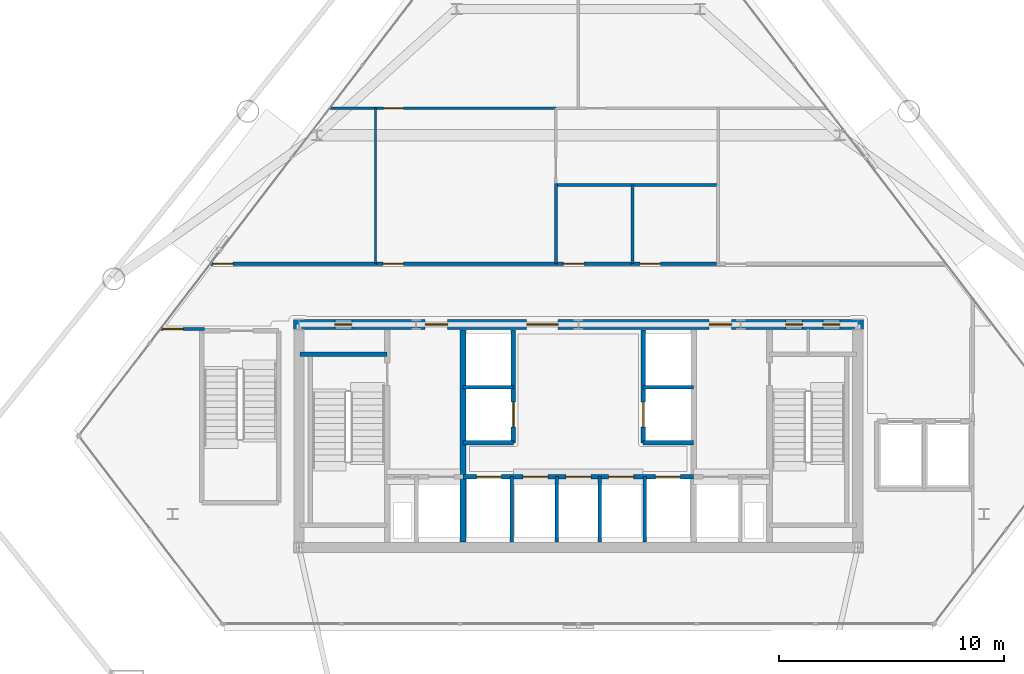
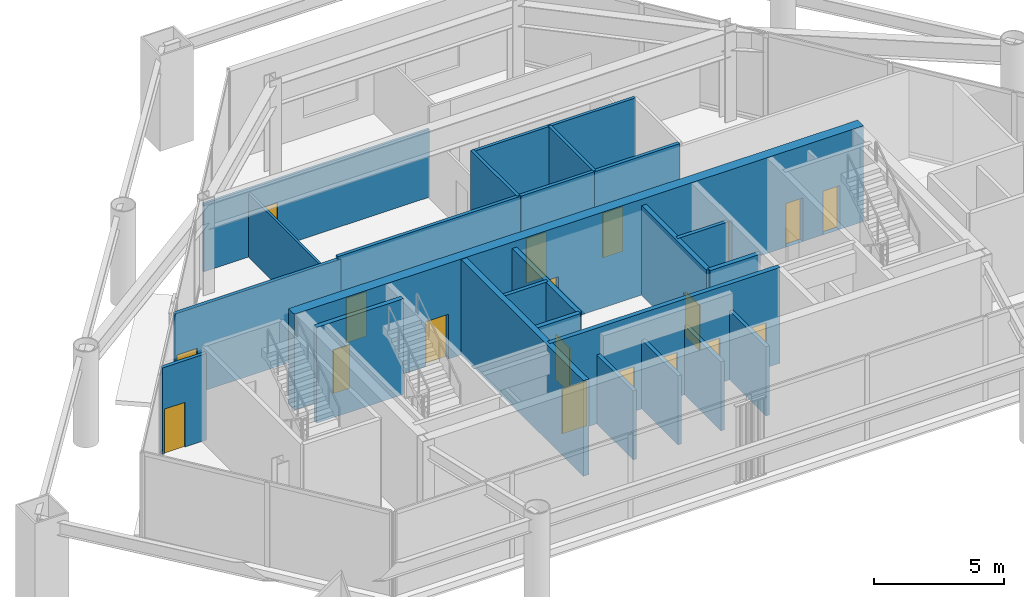
# One storey, part 7 of 11: 24 walls, 19 doors, 19 openings.
"""IFC4 building model written with IfcOpenShell, lengths in metres."""

from ifc_helpers import new_model, si_unit, direction, frame, frame_2d, origin, place, context, subcontext, project, spatial, rectangle, extrude, material, layer, layer_set, type_object, element, fill, save


model = new_model("IFC4")

# Units and contexts
model_context = context("Model", 3, precision=1e-05, world=origin(), true_north=direction((0.0, 1.0)))
body_context = subcontext(model_context, "Body", "Model", "MODEL_VIEW")
ifc_project = project(units=[si_unit("LENGTHUNIT", "METRE"), si_unit("AREAUNIT", "SQUARE_METRE"), si_unit("VOLUMEUNIT", "CUBIC_METRE"), si_unit("PLANEANGLEUNIT", "RADIAN"), si_unit("MASSUNIT", "GRAM", prefix="KILO")], contexts=[model_context])

# Site, building, storey
site_placement = place(None, origin())
site = spatial("IfcSite", under=ifc_project, at=site_placement, CompositionType="ELEMENT")
building_placement = place(site_placement, origin())
building = spatial("IfcBuilding", under=site, at=building_placement, Name="Talgorran Terracotta Tower", CompositionType="ELEMENT")
storey_placement = place(building_placement, frame((0.0, 0.0, 5.39990234375)))
storey = spatial("IfcBuildingStorey", under=building, at=storey_placement, Name="L01", CompositionType="ELEMENT", Elevation=5.39990234375)

# Wall
ifc_material_1 = material(Name="Concrete C50/60", Category="concrete")
ifc_layer_1 = layer(ifc_material_1, 0.199951171875, Name="WT_CORE_200")
ifc_layer_set_1 = layer_set([ifc_layer_1], Name="Concrete C50/60")
wall_type_1 = type_object("IfcWallType", Name="WT_CORE_200", PredefinedType="SOLIDWALL", material=ifc_layer_set_1)
wall_1_placement = place(storey_placement, frame((-12.35009765625, -5.52001953125, 0.0), z_axis=(0.0, 0.0, 1.0), x_axis=(1.0, 0.0, 0.0)))
element("IfcWall", 1, at=wall_1_placement, inside=storey, type_object=wall_type_1, Name="WL-L01-CW-ST1-N", PredefinedType="SOLIDWALL", context=body_context, shape_type="SweptSolid", body=[
    extrude(rectangle(XDim=3.8701171875, YDim=0.199951171875, at=frame_2d((1.93505859375, 0.0))), origin(), (0.0, 0.0, 1.0), 4.5),
])

# Wall, openings, doors
wall_2_placement = place(storey_placement, frame((-5.1201171875, -10.949951171875, 0.0), z_axis=(0.0, 0.0, 1.0), x_axis=(1.0, 0.0, 0.0)))
wall_2 = element("IfcWall", 2, at=wall_2_placement, inside=storey, type_object=wall_type_1, Name="WL-L01-CW-H-SBC", PredefinedType="SOLIDWALL", context=body_context, shape_type="SweptSolid", body=[
    extrude(rectangle(XDim=10.240234375, YDim=0.199951171875, at=frame_2d((5.1201171875, 0.0))), origin(), (0.0, 0.0, 1.0), 4.5),
])
opening_1_placement = place(wall_2_placement, frame((0.60009765625, 0.0, 0.0)))
opening_1 = element("IfcOpeningElement", 3, at=opening_1_placement, cuts=wall_2, Name="Opening LD-OB1", PredefinedType="OPENING", context=body_context, shape_type="SweptSolid", body=[
    extrude(rectangle(XDim=1.10609765625, YDim=2.10409765625, at=frame_2d((0.550048828125, 1.052001953125))), frame((0.0, 0.10986328125, 0.0), z_axis=(0.0, -1.0, 0.0), x_axis=(1.0, 0.0, 0.0)), (0.0, 0.0, 1.0), 0.219970703125),
])
opening_2_placement = place(wall_2_placement, frame((2.669921875, 0.0, 0.0)))
opening_2 = element("IfcOpeningElement", 4, at=opening_2_placement, cuts=wall_2, Name="Opening LD-PLH1", PredefinedType="OPENING", context=body_context, shape_type="SweptSolid", body=[
    extrude(rectangle(XDim=1.10609765625, YDim=2.10409765625, at=frame_2d((0.550048828125, 1.052001953125))), frame((0.0, 0.10986328125, 0.0), z_axis=(0.0, -1.0, 0.0), x_axis=(1.0, 0.0, 0.0)), (0.0, 0.0, 1.0), 0.219970703125),
])
opening_3_placement = place(wall_2_placement, frame((4.570068359375, 0.0, 0.0)))
opening_3 = element("IfcOpeningElement", 5, at=opening_3_placement, cuts=wall_2, Name="Opening LD-PLH2", PredefinedType="OPENING", context=body_context, shape_type="SweptSolid", body=[
    extrude(rectangle(XDim=1.10609765625, YDim=2.10409765625, at=frame_2d((0.550048828125, 1.052001953125))), frame((0.0, 0.10986328125, 0.0), z_axis=(0.0, -1.0, 0.0), x_axis=(1.0, 0.0, 0.0)), (0.0, 0.0, 1.0), 0.219970703125),
])
opening_4_placement = place(wall_2_placement, frame((6.469970703125, 0.0, 0.0)))
opening_4 = element("IfcOpeningElement", 6, at=opening_4_placement, cuts=wall_2, Name="Opening LD-PLH3", PredefinedType="OPENING", context=body_context, shape_type="SweptSolid", body=[
    extrude(rectangle(XDim=1.10609765625, YDim=2.10409765625, at=frame_2d((0.550048828125, 1.052001953125))), frame((0.0, 0.10986328125, 0.0), z_axis=(0.0, -1.0, 0.0), x_axis=(1.0, 0.0, 0.0)), (0.0, 0.0, 1.0), 0.219970703125),
])
opening_5_placement = place(wall_2_placement, frame((8.5400390625, 0.0, 0.0)))
opening_5 = element("IfcOpeningElement", 7, at=opening_5_placement, cuts=wall_2, Name="Opening LD-SVL1", PredefinedType="OPENING", context=body_context, shape_type="SweptSolid", body=[
    extrude(rectangle(XDim=1.10609765625, YDim=2.10409765625, at=frame_2d((0.550048828125, 1.052001953125))), frame((0.0, 0.10986328125, 0.0), z_axis=(0.0, -1.0, 0.0), x_axis=(1.0, 0.0, 0.0)), (0.0, 0.0, 1.0), 0.219970703125),
])
ifc_material_2 = material(Name="Brushed Stainless Steel Grade 304", Category="steel")
door_type_1 = type_object("IfcDoorType", Name="DT_LIFT_LD1100", OperationType="DOUBLE_DOOR_SLIDING", PredefinedType="DOOR", material=ifc_material_2)
door_1_placement = place(opening_1_placement, origin())
door_1 = element("IfcDoor", 8, at=door_1_placement, inside=storey, type_object=door_type_1, Name="L01 Lift Landing Door LD-OB1", OperationType="DOUBLE_DOOR_SLIDING", OverallHeight=2.10009765625, OverallWidth=1.10009765625, PredefinedType="DOOR", context=body_context, shape_type="SweptSolid", body=[
    extrude(rectangle(XDim=1.10009765625, YDim=2.10009765625, at=frame_2d((0.550048828125, 1.050048828125))), frame((0.0, 0.02490234375, 0.0), z_axis=(0.0, -1.0, 0.0), x_axis=(1.0, 0.0, 0.0)), (0.0, 0.0, 1.0), 0.050048828125),
])
fill(opening_1, door_1)
door_2_placement = place(opening_2_placement, origin())
door_2 = element("IfcDoor", 9, at=door_2_placement, inside=storey, type_object=door_type_1, Name="L01 Lift Landing Door LD-PLH1", OperationType="DOUBLE_DOOR_SLIDING", OverallHeight=2.10009765625, OverallWidth=1.10009765625, PredefinedType="DOOR", context=body_context, shape_type="SweptSolid", body=[
    extrude(rectangle(XDim=1.10009765625, YDim=2.10009765625, at=frame_2d((0.550048828125, 1.050048828125))), frame((0.0, 0.02490234375, 0.0), z_axis=(0.0, -1.0, 0.0), x_axis=(1.0, 0.0, 0.0)), (0.0, 0.0, 1.0), 0.050048828125),
])
fill(opening_2, door_2)
door_3_placement = place(opening_3_placement, origin())
door_3 = element("IfcDoor", 10, at=door_3_placement, inside=storey, type_object=door_type_1, Name="L01 Lift Landing Door LD-PLH2", OperationType="DOUBLE_DOOR_SLIDING", OverallHeight=2.10009765625, OverallWidth=1.10009765625, PredefinedType="DOOR", context=body_context, shape_type="SweptSolid", body=[
    extrude(rectangle(XDim=1.10009765625, YDim=2.10009765625, at=frame_2d((0.550048828125, 1.050048828125))), frame((0.0, 0.02490234375, 0.0), z_axis=(0.0, -1.0, 0.0), x_axis=(1.0, 0.0, 0.0)), (0.0, 0.0, 1.0), 0.050048828125),
])
fill(opening_3, door_3)
door_4_placement = place(opening_4_placement, origin())
door_4 = element("IfcDoor", 11, at=door_4_placement, inside=storey, type_object=door_type_1, Name="L01 Lift Landing Door LD-PLH3", OperationType="DOUBLE_DOOR_SLIDING", OverallHeight=2.10009765625, OverallWidth=1.10009765625, PredefinedType="DOOR", context=body_context, shape_type="SweptSolid", body=[
    extrude(rectangle(XDim=1.10009765625, YDim=2.10009765625, at=frame_2d((0.550048828125, 1.050048828125))), frame((0.0, 0.02490234375, 0.0), z_axis=(0.0, -1.0, 0.0), x_axis=(1.0, 0.0, 0.0)), (0.0, 0.0, 1.0), 0.050048828125),
])
fill(opening_4, door_4)
door_5_placement = place(opening_5_placement, origin())
door_5 = element("IfcDoor", 12, at=door_5_placement, inside=storey, type_object=door_type_1, Name="L01 Lift Landing Door LD-SVL1", OperationType="DOUBLE_DOOR_SLIDING", OverallHeight=2.10009765625, OverallWidth=1.10009765625, PredefinedType="DOOR", context=body_context, shape_type="SweptSolid", body=[
    extrude(rectangle(XDim=1.10009765625, YDim=2.10009765625, at=frame_2d((0.550048828125, 1.050048828125))), frame((0.0, 0.02490234375, 0.0), z_axis=(0.0, -1.0, 0.0), x_axis=(1.0, 0.0, 0.0)), (0.0, 0.0, 1.0), 0.050048828125),
])
fill(opening_5, door_5)

# Wall, opening, door
wall_3_placement = place(storey_placement, frame((-2.8798828125, -9.449951171875, 0.0), z_axis=(0.0, 0.0, 1.0), x_axis=(0.0, 1.0, 0.0)))
wall_3 = element("IfcWall", 13, at=wall_3_placement, inside=storey, type_object=wall_type_1, Name="WL-L01-CW-V-W3", PredefinedType="SOLIDWALL", context=body_context, shape_type="SweptSolid", body=[
    extrude(rectangle(XDim=5.0, YDim=0.199951171875, at=frame_2d((2.5, 0.0))), origin(), (0.0, 0.0, 1.0), 4.22021484375),
])
opening_6_placement = place(wall_3_placement, frame((0.699951171875, 0.0, 0.0)))
opening_6 = element("IfcOpeningElement", 14, at=opening_6_placement, cuts=wall_3, Name="Opening LD-PLL1", PredefinedType="OPENING", context=body_context, shape_type="SweptSolid", body=[
    extrude(rectangle(XDim=1.10609765625, YDim=2.10409765625, at=frame_2d((0.550048828125, 1.052001953125))), frame((0.0, 0.10986328125, 0.0), z_axis=(0.0, -1.0, 0.0), x_axis=(1.0, 0.0, 0.0)), (0.0, 0.0, 1.0), 0.219970703125),
])
door_6_placement = place(opening_6_placement, origin())
door_6 = element("IfcDoor", 15, at=door_6_placement, inside=storey, type_object=door_type_1, Name="L01 Lift Landing Door LD-PLL1", OperationType="DOUBLE_DOOR_SLIDING", OverallHeight=2.10009765625, OverallWidth=1.10009765625, PredefinedType="DOOR", context=body_context, shape_type="SweptSolid", body=[
    extrude(rectangle(XDim=1.10009765625, YDim=2.10009765625, at=frame_2d((0.550048828125, 1.050048828125))), frame((0.0, 0.02490234375, 0.0), z_axis=(0.0, -1.0, 0.0), x_axis=(1.0, 0.0, 0.0)), (0.0, 0.0, 1.0), 0.050048828125),
])
fill(opening_6, door_6)

# Wall
wall_4_placement = place(storey_placement, frame((-5.1201171875, -9.449951171875, 0.0), z_axis=(0.0, 0.0, 1.0), x_axis=(1.0, 0.0, 0.0)))
element("IfcWall", 16, at=wall_4_placement, inside=storey, type_object=wall_type_1, Name="WL-L01-CW-H-W4", PredefinedType="SOLIDWALL", context=body_context, shape_type="SweptSolid", body=[
    extrude(rectangle(XDim=2.240234375, YDim=0.199951171875, at=frame_2d((1.1201171875, 0.0))), origin(), (0.0, 0.0, 1.0), 4.22021484375),
])

# Wall, opening, door
wall_5_placement = place(storey_placement, frame((2.8798828125, -9.449951171875, 0.0), z_axis=(0.0, 0.0, 1.0), x_axis=(0.0, 1.0, 0.0)))
wall_5 = element("IfcWall", 17, at=wall_5_placement, inside=storey, type_object=wall_type_1, Name="WL-L01-CW-V-E3", PredefinedType="SOLIDWALL", context=body_context, shape_type="SweptSolid", body=[
    extrude(rectangle(XDim=5.0, YDim=0.199951171875, at=frame_2d((2.5, 0.0))), origin(), (0.0, 0.0, 1.0), 4.22021484375),
])
opening_7_placement = place(wall_5_placement, frame((0.699951171875, 0.0, 0.0)))
opening_7 = element("IfcOpeningElement", 18, at=opening_7_placement, cuts=wall_5, Name="Opening LD-PLM1", PredefinedType="OPENING", context=body_context, shape_type="SweptSolid", body=[
    extrude(rectangle(XDim=1.10609765625, YDim=2.10409765625, at=frame_2d((0.550048828125, 1.052001953125))), frame((0.0, 0.10986328125, 0.0), z_axis=(0.0, -1.0, 0.0), x_axis=(1.0, 0.0, 0.0)), (0.0, 0.0, 1.0), 0.219970703125),
])
door_7_placement = place(opening_7_placement, origin())
door_7 = element("IfcDoor", 19, at=door_7_placement, inside=storey, type_object=door_type_1, Name="L01 Lift Landing Door LD-PLM1", OperationType="DOUBLE_DOOR_SLIDING", OverallHeight=2.10009765625, OverallWidth=1.10009765625, PredefinedType="DOOR", context=body_context, shape_type="SweptSolid", body=[
    extrude(rectangle(XDim=1.10009765625, YDim=2.10009765625, at=frame_2d((0.550048828125, 1.050048828125))), frame((0.0, 0.02490234375, 0.0), z_axis=(0.0, -1.0, 0.0), x_axis=(1.0, 0.0, 0.0)), (0.0, 0.0, 1.0), 0.050048828125),
])
fill(opening_7, door_7)

# Walls
wall_6_placement = place(storey_placement, frame((2.8798828125, -9.449951171875, 0.0), z_axis=(0.0, 0.0, 1.0), x_axis=(1.0, 0.0, 0.0)))
element("IfcWall", 20, at=wall_6_placement, inside=storey, type_object=wall_type_1, Name="WL-L01-CW-H-E4", PredefinedType="SOLIDWALL", context=body_context, shape_type="SweptSolid", body=[
    extrude(rectangle(XDim=2.240234375, YDim=0.199951171875, at=frame_2d((1.1201171875, 0.0))), origin(), (0.0, 0.0, 1.0), 4.22021484375),
])
ifc_layer_2 = layer(ifc_material_1, 0.25, Name="WT_CORE_250")
ifc_layer_set_2 = layer_set([ifc_layer_2], Name="Concrete C50/60")
wall_type_2 = type_object("IfcWallType", Name="WT_CORE_250", PredefinedType="SHEAR", material=ifc_layer_set_2)
wall_7_placement = place(storey_placement, frame((-5.1201171875, -13.85009765625, 0.0), z_axis=(0.0, 0.0, 1.0), x_axis=(0.0, 1.0, 0.0)))
element("IfcWall", 21, at=wall_7_placement, inside=storey, type_object=wall_type_2, Name="WL-L01-CW-V-W2", PredefinedType="SHEAR", context=body_context, shape_type="SweptSolid", body=[
    extrude(rectangle(XDim=9.400146484375, YDim=0.25, at=frame_2d((4.7001953125, 0.0))), origin(), (0.0, 0.0, 1.0), 4.5),
])

# Wall, openings, doors
ifc_material_3 = material(Name="Concrete C65/80", Category="concrete")
ifc_layer_3 = layer(ifc_material_3, 0.449951171875, Name="WT_CORE_EXT")
ifc_layer_set_3 = layer_set([ifc_layer_3], Name="Concrete C65/80")
wall_type_3 = type_object("IfcWallType", Name="WT_CORE_EXT", PredefinedType="SHEAR", material=ifc_layer_set_3)
wall_8_placement = place(storey_placement, frame((-12.64990234375, -4.199951171875, 0.0), z_axis=(0.0, 0.0, 1.0), x_axis=(1.0, 0.0, 0.0)))
wall_8 = element("IfcWall", 22, at=wall_8_placement, inside=storey, type_object=wall_type_3, Name="WL-L01-CW-OUT-N", PredefinedType="SHEAR", context=body_context, shape_type="SweptSolid", body=[
    extrude(rectangle(XDim=25.2998046875, YDim=0.449951171875, at=frame_2d((12.64990234375, 0.0))), origin(), (0.0, 0.0, 1.0), 4.5),
])
opening_8_placement = place(wall_8_placement, frame((1.85009765625, 0.0, 0.0)))
opening_8 = element("IfcOpeningElement", 23, at=opening_8_placement, cuts=wall_8, Name="Opening DR-CSN1", PredefinedType="OPENING", context=body_context, shape_type="SweptSolid", body=[
    extrude(rectangle(XDim=0.756, YDim=2.054048828125, at=frame_2d((0.375, 1.027099609375))), frame((0.0, 0.23486328125, 0.0), z_axis=(0.0, -1.0, 0.0), x_axis=(1.0, 0.0, 0.0)), (0.0, 0.0, 1.0), 0.469970703125),
])
opening_9_placement = place(wall_8_placement, frame((21.85009765625, 0.0, 0.0)))
opening_9 = element("IfcOpeningElement", 24, at=opening_9_placement, cuts=wall_8, Name="Opening DR-CSN2", PredefinedType="OPENING", context=body_context, shape_type="SweptSolid", body=[
    extrude(rectangle(XDim=0.756, YDim=2.054048828125, at=frame_2d((0.375, 1.027099609375))), frame((0.0, 0.23486328125, 0.0), z_axis=(0.0, -1.0, 0.0), x_axis=(1.0, 0.0, 0.0)), (0.0, 0.0, 1.0), 0.469970703125),
])
opening_10_placement = place(wall_8_placement, frame((23.5, 0.0, 0.0)))
opening_10 = element("IfcOpeningElement", 25, at=opening_10_placement, cuts=wall_8, Name="Opening DR-CSN3", PredefinedType="OPENING", context=body_context, shape_type="SweptSolid", body=[
    extrude(rectangle(XDim=0.756, YDim=2.054048828125, at=frame_2d((0.375, 1.027099609375))), frame((0.0, 0.23486328125, 0.0), z_axis=(0.0, -1.0, 0.0), x_axis=(1.0, 0.0, 0.0)), (0.0, 0.0, 1.0), 0.469970703125),
])
opening_11_placement = place(wall_8_placement, frame((5.85009765625, 0.0, 0.0)))
opening_11 = element("IfcOpeningElement", 26, at=opening_11_placement, cuts=wall_8, Name="Opening DR-FFLW-N", PredefinedType="OPENING", context=body_context, shape_type="SweptSolid", body=[
    extrude(rectangle(XDim=1.006, YDim=2.10409765625, at=frame_2d((0.5, 1.052001953125))), frame((0.0, 0.23486328125, 0.0), z_axis=(0.0, -1.0, 0.0), x_axis=(1.0, 0.0, 0.0)), (0.0, 0.0, 1.0), 0.469970703125),
])
opening_12_placement = place(wall_8_placement, frame((10.35009765625, 0.0, 0.0)))
opening_12 = element("IfcOpeningElement", 27, at=opening_12_placement, cuts=wall_8, Name="Opening DR-PLL-N", PredefinedType="OPENING", context=body_context, shape_type="SweptSolid", body=[
    extrude(rectangle(XDim=1.40590234375, YDim=2.15390234375, at=frame_2d((0.699951171875, 1.076904296875))), frame((0.0, 0.23486328125, 0.0), z_axis=(0.0, -1.0, 0.0), x_axis=(1.0, 0.0, 0.0)), (0.0, 0.0, 1.0), 0.469970703125),
])
opening_13_placement = place(wall_8_placement, frame((18.449951171875, 0.0, 0.0)))
opening_13 = element("IfcOpeningElement", 28, at=opening_13_placement, cuts=wall_8, Name="Opening DR-FFLE-N", PredefinedType="OPENING", context=body_context, shape_type="SweptSolid", body=[
    extrude(rectangle(XDim=1.006, YDim=2.10409765625, at=frame_2d((0.5, 1.052001953125))), frame((0.0, 0.23486328125, 0.0), z_axis=(0.0, -1.0, 0.0), x_axis=(1.0, 0.0, 0.0)), (0.0, 0.0, 1.0), 0.469970703125),
])
ifc_material_4 = material(Name="Acoustic Glazed Timber", Category="wood")
door_type_2 = type_object("IfcDoorType", Name="DT_DOUBLE_1400", OperationType="DOUBLE_DOOR_SINGLE_SWING", PredefinedType="DOOR", material=ifc_material_4)
door_8_placement = place(opening_12_placement, origin())
door_8 = element("IfcDoor", 29, at=door_8_placement, inside=storey, type_object=door_type_2, Name="DR-PLL-N", OperationType="DOUBLE_DOOR_SINGLE_SWING", OverallHeight=2.14990234375, OverallWidth=1.39990234375, PredefinedType="DOOR", context=body_context, shape_type="SweptSolid", body=[
    extrude(rectangle(XDim=1.39990234375, YDim=2.14990234375, at=frame_2d((0.699951171875, 1.074951171875))), frame((0.0, 0.02490234375, 0.0), z_axis=(0.0, -1.0, 0.0), x_axis=(1.0, 0.0, 0.0)), (0.0, 0.0, 1.0), 0.050048828125),
])
fill(opening_12, door_8)
ifc_material_5 = material(Name="Fire-Rated Pressed Steel", Category="steel")
door_type_3 = type_object("IfcDoorType", Name="DT_FIRE_1000", OperationType="NOTDEFINED", PredefinedType="DOOR", material=ifc_material_5)
door_9_placement = place(opening_11_placement, origin())
door_9 = element("IfcDoor", 30, at=door_9_placement, inside=storey, type_object=door_type_3, Name="DR-FFLW-N", OperationType="SINGLE_SWING_LEFT", OverallHeight=2.10009765625, OverallWidth=1.0, PredefinedType="DOOR", context=body_context, shape_type="SweptSolid", body=[
    extrude(rectangle(XDim=1.0, YDim=2.10009765625, at=frame_2d((0.5, 1.050048828125))), frame((0.0, 0.02490234375, 0.0), z_axis=(0.0, -1.0, 0.0), x_axis=(1.0, 0.0, 0.0)), (0.0, 0.0, 1.0), 0.050048828125),
])
fill(opening_11, door_9)
door_10_placement = place(opening_13_placement, origin())
door_10 = element("IfcDoor", 31, at=door_10_placement, inside=storey, type_object=door_type_3, Name="DR-FFLE-N", OperationType="SINGLE_SWING_RIGHT", OverallHeight=2.10009765625, OverallWidth=1.0, PredefinedType="DOOR", context=body_context, shape_type="SweptSolid", body=[
    extrude(rectangle(XDim=1.0, YDim=2.10009765625, at=frame_2d((0.5, 1.050048828125))), frame((0.0, 0.02490234375, 0.0), z_axis=(0.0, -1.0, 0.0), x_axis=(1.0, 0.0, 0.0)), (0.0, 0.0, 1.0), 0.050048828125),
])
fill(opening_13, door_10)
door_type_4 = type_object("IfcDoorType", Name="DT_RISER_750", OperationType="NOTDEFINED", PredefinedType="DOOR", material=ifc_material_5)
door_11_placement = place(opening_8_placement, origin())
door_11 = element("IfcDoor", 32, at=door_11_placement, inside=storey, type_object=door_type_4, Name="DR-CSN1", OperationType="SINGLE_SWING_LEFT", OverallHeight=2.050048828125, OverallWidth=0.75, PredefinedType="DOOR", context=body_context, shape_type="SweptSolid", body=[
    extrude(rectangle(XDim=0.75, YDim=2.050048828125, at=frame_2d((0.375, 1.02490234375))), frame((0.0, 0.02490234375, 0.0), z_axis=(0.0, -1.0, 0.0), x_axis=(1.0, 0.0, 0.0)), (0.0, 0.0, 1.0), 0.050048828125),
])
fill(opening_8, door_11)
door_12_placement = place(opening_9_placement, origin())
door_12 = element("IfcDoor", 33, at=door_12_placement, inside=storey, type_object=door_type_4, Name="DR-CSN2", OperationType="SINGLE_SWING_LEFT", OverallHeight=2.050048828125, OverallWidth=0.75, PredefinedType="DOOR", context=body_context, shape_type="SweptSolid", body=[
    extrude(rectangle(XDim=0.75, YDim=2.050048828125, at=frame_2d((0.375, 1.02490234375))), frame((0.0, 0.02490234375, 0.0), z_axis=(0.0, -1.0, 0.0), x_axis=(1.0, 0.0, 0.0)), (0.0, 0.0, 1.0), 0.050048828125),
])
fill(opening_9, door_12)
door_13_placement = place(opening_10_placement, origin())
door_13 = element("IfcDoor", 34, at=door_13_placement, inside=storey, type_object=door_type_4, Name="DR-CSN3", OperationType="SINGLE_SWING_RIGHT", OverallHeight=2.050048828125, OverallWidth=0.75, PredefinedType="DOOR", context=body_context, shape_type="SweptSolid", body=[
    extrude(rectangle(XDim=0.75, YDim=2.050048828125, at=frame_2d((0.375, 1.02490234375))), frame((0.0, 0.02490234375, 0.0), z_axis=(0.0, -1.0, 0.0), x_axis=(1.0, 0.0, 0.0)), (0.0, 0.0, 1.0), 0.050048828125),
])
fill(opening_10, door_13)

# Wall, opening, door
ifc_material_6 = material(Name="Fire-Rated Steel Stud Plasterboard", Category="steel")
ifc_layer_4 = layer(ifc_material_6, 0.14990234375, Name="WT_FIRE_150")
ifc_layer_set_4 = layer_set([ifc_layer_4], Name="Fire-Rated Steel Stud Plasterboard")
wall_type_4 = type_object("IfcWallType", Name="WT_FIRE_150", PredefinedType="PARTITIONING", material=ifc_layer_set_4)
wall_9_placement = place(storey_placement, frame((-9.06005859375, -1.5, 0.0), z_axis=(0.0, 0.0, 1.0), x_axis=(1.0, 0.0, 0.0)))
wall_9 = element("IfcWall", 35, at=wall_9_placement, inside=storey, type_object=wall_type_4, Name="WL-L01-W-L01-R04", PredefinedType="PARTITIONING", context=body_context, shape_type="SweptSolid", body=[
    extrude(rectangle(XDim=8.1201171875, YDim=0.14990234375, at=frame_2d((4.06005859375, 0.0))), origin(), (0.0, 0.0, 1.0), 4.22021484375),
])
opening_14_placement = place(wall_9_placement, frame((0.399169921875, 0.0, 0.0)))
opening_14 = element("IfcOpeningElement", 36, at=opening_14_placement, cuts=wall_9, Name="Opening DR-L01-R05", PredefinedType="OPENING", context=body_context, shape_type="SweptSolid", body=[
    extrude(rectangle(XDim=0.90590234375, YDim=2.10409765625, at=frame_2d((0.449951171875, 1.052001953125))), frame((0.0, 0.0849609375, 0.0), z_axis=(0.0, -1.0, 0.0), x_axis=(1.0, 0.0, 0.0)), (0.0, 0.0, 1.0), 0.169921875),
])
ifc_material_7 = material(Name="Fire-Rated Timber Core", Category="wood")
door_type_5 = type_object("IfcDoorType", Name="DT_FIRE_900", OperationType="NOTDEFINED", PredefinedType="DOOR", material=ifc_material_7)
door_14_placement = place(opening_14_placement, origin())
door_14 = element("IfcDoor", 37, at=door_14_placement, inside=storey, type_object=door_type_5, Name="DR-L01-R05", OperationType="SINGLE_SWING_LEFT", OverallHeight=2.10009765625, OverallWidth=0.89990234375, PredefinedType="DOOR", context=body_context, shape_type="SweptSolid", body=[
    extrude(rectangle(XDim=0.89990234375, YDim=2.10009765625, at=frame_2d((0.449951171875, 1.050048828125))), frame((0.0, 0.02490234375, 0.0), z_axis=(0.0, -1.0, 0.0), x_axis=(1.0, 0.0, 0.0)), (0.0, 0.0, 1.0), 0.050048828125),
])
fill(opening_14, door_14)

wall_10_placement = place(storey_placement, frame((-16.31689453125, -1.5, 0.0), z_axis=(0.0, 0.0, 1.0), x_axis=(1.0, 0.0, 0.0)))
wall_10 = element("IfcWall", 38, at=wall_10_placement, inside=storey, type_object=wall_type_4, Name="WL-L01-W-L01-R03", PredefinedType="PARTITIONING", context=body_context, shape_type="SweptSolid", body=[
    extrude(rectangle(XDim=7.376953125, YDim=0.14990234375, at=frame_2d((3.6884765625, 0.0))), origin(), (0.0, 0.0, 1.0), 4.067626953125),
])
opening_15_placement = place(wall_10_placement, frame((0.10009765625, 0.0, 0.0)))
opening_15 = element("IfcOpeningElement", 39, at=opening_15_placement, cuts=wall_10, Name="Opening DR-L01-R04", PredefinedType="OPENING", context=body_context, shape_type="SweptSolid", body=[
    extrude(rectangle(XDim=0.90590234375, YDim=2.10409765625, at=frame_2d((0.449951171875, 1.052001953125))), frame((0.0, 0.0849609375, 0.0), z_axis=(0.0, -1.0, 0.0), x_axis=(1.0, 0.0, 0.0)), (0.0, 0.0, 1.0), 0.169921875),
])
door_15_placement = place(opening_15_placement, origin())
door_15 = element("IfcDoor", 40, at=door_15_placement, inside=storey, type_object=door_type_5, Name="DR-L01-R04", OperationType="SINGLE_SWING_RIGHT", OverallHeight=2.10009765625, OverallWidth=0.89990234375, PredefinedType="DOOR", context=body_context, shape_type="SweptSolid", body=[
    extrude(rectangle(XDim=0.89990234375, YDim=2.10009765625, at=frame_2d((0.449951171875, 1.050048828125))), frame((0.0, 0.02490234375, 0.0), z_axis=(0.0, -1.0, 0.0), x_axis=(1.0, 0.0, 0.0)), (0.0, 0.0, 1.0), 0.050048828125),
])
fill(opening_15, door_15)

wall_11_placement = place(storey_placement, frame((2.340087890625, -1.5, 0.0), z_axis=(0.0, 0.0, 1.0), x_axis=(1.0, 0.0, 0.0)))
wall_11 = element("IfcWall", 41, at=wall_11_placement, inside=storey, type_object=wall_type_4, Name="WL-L01-W-L01-R06", PredefinedType="PARTITIONING", context=body_context, shape_type="SweptSolid", body=[
    extrude(rectangle(XDim=3.7978515625, YDim=0.14990234375, at=frame_2d((1.89892578125, 0.0))), origin(), (0.0, 0.0, 1.0), 4.22021484375),
])
opening_16_placement = place(wall_11_placement, frame((0.39794921875, 0.0, 0.0)))
opening_16 = element("IfcOpeningElement", 42, at=opening_16_placement, cuts=wall_11, Name="Opening DR-L01-R07", PredefinedType="OPENING", context=body_context, shape_type="SweptSolid", body=[
    extrude(rectangle(XDim=0.90590234375, YDim=2.10409765625, at=frame_2d((0.449951171875, 1.052001953125))), frame((0.0, 0.0849609375, 0.0), z_axis=(0.0, -1.0, 0.0), x_axis=(1.0, 0.0, 0.0)), (0.0, 0.0, 1.0), 0.169921875),
])
door_16_placement = place(opening_16_placement, origin())
door_16 = element("IfcDoor", 43, at=door_16_placement, inside=storey, type_object=door_type_5, Name="DR-L01-R07", OperationType="SINGLE_SWING_LEFT", OverallHeight=2.10009765625, OverallWidth=0.89990234375, PredefinedType="DOOR", context=body_context, shape_type="SweptSolid", body=[
    extrude(rectangle(XDim=0.89990234375, YDim=2.10009765625, at=frame_2d((0.449951171875, 1.050048828125))), frame((0.0, 0.02490234375, 0.0), z_axis=(0.0, -1.0, 0.0), x_axis=(1.0, 0.0, 0.0)), (0.0, 0.0, 1.0), 0.050048828125),
])
fill(opening_16, door_16)

wall_12_placement = place(storey_placement, frame((-0.93798828125, -1.5, 0.0), z_axis=(0.0, 0.0, 1.0), x_axis=(1.0, 0.0, 0.0)))
wall_12 = element("IfcWall", 44, at=wall_12_placement, inside=storey, type_object=wall_type_4, Name="WL-L01-W-L01-R05", PredefinedType="PARTITIONING", context=body_context, shape_type="SweptSolid", body=[
    extrude(rectangle(XDim=3.27587890625, YDim=0.14990234375, at=frame_2d((1.637939453125, 0.0))), origin(), (0.0, 0.0, 1.0), 4.22021484375),
])
opening_17_placement = place(wall_12_placement, frame((0.275634765625, 0.0, 0.0)))
opening_17 = element("IfcOpeningElement", 45, at=opening_17_placement, cuts=wall_12, Name="Opening DR-L01-R06", PredefinedType="OPENING", context=body_context, shape_type="SweptSolid", body=[
    extrude(rectangle(XDim=0.90590234375, YDim=2.10409765625, at=frame_2d((0.449951171875, 1.052001953125))), frame((0.0, 0.0849609375, 0.0), z_axis=(0.0, -1.0, 0.0), x_axis=(1.0, 0.0, 0.0)), (0.0, 0.0, 1.0), 0.169921875),
])
door_17_placement = place(opening_17_placement, origin())
door_17 = element("IfcDoor", 46, at=door_17_placement, inside=storey, type_object=door_type_5, Name="DR-L01-R06", OperationType="SINGLE_SWING_RIGHT", OverallHeight=2.10009765625, OverallWidth=0.89990234375, PredefinedType="DOOR", context=body_context, shape_type="SweptSolid", body=[
    extrude(rectangle(XDim=0.89990234375, YDim=2.10009765625, at=frame_2d((0.449951171875, 1.050048828125))), frame((0.0, 0.02490234375, 0.0), z_axis=(0.0, -1.0, 0.0), x_axis=(1.0, 0.0, 0.0)), (0.0, 0.0, 1.0), 0.050048828125),
])
fill(opening_17, door_17)

wall_13_placement = place(storey_placement, frame((-18.5380859375, -4.39990234375, 0.0), z_axis=(0.0, 0.0, 1.0), x_axis=(1.0, 0.0, 0.0)))
wall_13 = element("IfcWall", 47, at=wall_13_placement, inside=storey, type_object=wall_type_4, Name="WL-L01-W-L01-R01", PredefinedType="PARTITIONING", context=body_context, shape_type="SweptSolid", body=[
    extrude(rectangle(XDim=1.9580078125, YDim=0.14990234375, at=frame_2d((0.97900390625, 0.0))), origin(), (0.0, 0.0, 1.0), 4.067626953125),
])
opening_18_placement = place(wall_13_placement, frame((0.10009765625, 0.0, 0.0)))
opening_18 = element("IfcOpeningElement", 48, at=opening_18_placement, cuts=wall_13, Name="Opening DR-L01-R01", PredefinedType="OPENING", context=body_context, shape_type="SweptSolid", body=[
    extrude(rectangle(XDim=0.90590234375, YDim=2.10409765625, at=frame_2d((0.449951171875, 1.052001953125))), frame((0.0, 0.0849609375, 0.0), z_axis=(0.0, -1.0, 0.0), x_axis=(1.0, 0.0, 0.0)), (0.0, 0.0, 1.0), 0.169921875),
])
door_18_placement = place(opening_18_placement, origin())
door_18 = element("IfcDoor", 49, at=door_18_placement, inside=storey, type_object=door_type_5, Name="DR-L01-R01", OperationType="SINGLE_SWING_LEFT", OverallHeight=2.10009765625, OverallWidth=0.89990234375, PredefinedType="DOOR", context=body_context, shape_type="SweptSolid", body=[
    extrude(rectangle(XDim=0.89990234375, YDim=2.10009765625, at=frame_2d((0.449951171875, 1.050048828125))), frame((0.0, 0.02490234375, 0.0), z_axis=(0.0, -1.0, 0.0), x_axis=(1.0, 0.0, 0.0)), (0.0, 0.0, 1.0), 0.050048828125),
])
fill(opening_18, door_18)

ifc_material_8 = material(Name="Lightweight Steel Stud Partition", Category="steel")
ifc_layer_5 = layer(ifc_material_8, 0.10498046875, Name="WT_PART_110")
ifc_layer_set_5 = layer_set([ifc_layer_5], Name="Lightweight Steel Stud Partition")
wall_type_5 = type_object("IfcWallType", Name="WT_PART_110", PredefinedType="PARTITIONING", material=ifc_layer_set_5)
wall_14_placement = place(storey_placement, frame((-11.03173828125, 5.39990234375, 0.0), z_axis=(0.0, 0.0, 1.0), x_axis=(1.0, 0.0, 0.0)))
wall_14 = element("IfcWall", 50, at=wall_14_placement, inside=storey, type_object=wall_type_5, Name="WL-L01-W-L01-R13", PredefinedType="PARTITIONING", context=body_context, shape_type="SweptSolid", body=[
    extrude(rectangle(XDim=10.03173828125, YDim=0.10498046875, at=frame_2d((5.015869140625, 0.0))), origin(), (0.0, 0.0, 1.0), 3.195068359375),
])
opening_19_placement = place(wall_14_placement, frame((2.390380859375, 0.0, 0.0)))
opening_19 = element("IfcOpeningElement", 51, at=opening_19_placement, cuts=wall_14, Name="Opening DR-L01-R10", PredefinedType="OPENING", context=body_context, shape_type="SweptSolid", body=[
    extrude(rectangle(XDim=0.8858828125, YDim=2.10409765625, at=frame_2d((0.43994140625, 1.052001953125))), frame((0.0, 0.0625, 0.0), z_axis=(0.0, -1.0, 0.0), x_axis=(1.0, 0.0, 0.0)), (0.0, 0.0, 1.0), 0.125),
])
ifc_material_9 = material(Name="Solid-Core Painted Timber", Category="wood")
door_type_6 = type_object("IfcDoorType", Name="DT_INT_880", OperationType="NOTDEFINED", PredefinedType="DOOR", material=ifc_material_9)
door_19_placement = place(opening_19_placement, origin())
door_19 = element("IfcDoor", 52, at=door_19_placement, inside=storey, type_object=door_type_6, Name="DR-L01-R10", OperationType="SINGLE_SWING_RIGHT", OverallHeight=2.10009765625, OverallWidth=0.8798828125, PredefinedType="DOOR", context=body_context, shape_type="SweptSolid", body=[
    extrude(rectangle(XDim=0.8798828125, YDim=2.10009765625, at=frame_2d((0.43994140625, 1.050048828125))), frame((0.0, 0.02490234375, 0.0), z_axis=(0.0, -1.0, 0.0), x_axis=(1.0, 0.0, 0.0)), (0.0, 0.0, 1.0), 0.050048828125),
])
fill(opening_19, door_19)

# Walls
wall_15_placement = place(storey_placement, frame((-9.0, -1.5, 0.0), z_axis=(0.0, 0.0, 1.0), x_axis=(0.0, 1.0, 0.0)))
element("IfcWall", 53, at=wall_15_placement, inside=storey, type_object=wall_type_5, Name="WL-L01-W-L01-R09", PredefinedType="PARTITIONING", context=body_context, shape_type="SweptSolid", body=[
    extrude(rectangle(XDim=6.89990234375, YDim=0.10498046875, at=frame_2d((3.449951171875, 0.0))), origin(), (0.0, 0.0, 1.0), 2.9951171875),
])
ifc_material_10 = material(Name="Moisture-Resistant Stud Wall")
ifc_layer_6 = layer(ifc_material_10, 0.135009765625, Name="WT_PART_135")
ifc_layer_set_6 = layer_set([ifc_layer_6], Name="Moisture-Resistant Stud Wall")
wall_type_6 = type_object("IfcWallType", Name="WT_PART_135", PredefinedType="PARTITIONING", material=ifc_layer_set_6)
wall_16_placement = place(storey_placement, frame((-1.0, 2.0, 0.0), z_axis=(0.0, 0.0, 1.0), x_axis=(1.0, 0.0, 0.0)))
element("IfcWall", 54, at=wall_16_placement, inside=storey, type_object=wall_type_6, Name="WL-L01-W-L01-R16", PredefinedType="PARTITIONING", context=body_context, shape_type="SweptSolid", body=[
    extrude(rectangle(XDim=7.199951171875, YDim=0.135009765625, at=frame_2d((3.60009765625, 0.0))), origin(), (0.0, 0.0, 1.0), 4.22021484375),
])
wall_17_placement = place(storey_placement, frame((-1.0, -1.5, 0.0), z_axis=(0.0, 0.0, 1.0), x_axis=(0.0, 1.0, 0.0)))
element("IfcWall", 55, at=wall_17_placement, inside=storey, type_object=wall_type_6, Name="WL-L01-W-L01-R11", PredefinedType="PARTITIONING", context=body_context, shape_type="SweptSolid", body=[
    extrude(rectangle(XDim=3.56005859375, YDim=0.135009765625, at=frame_2d((1.780029296875, 0.0))), origin(), (0.0, 0.0, 1.0), 4.22021484375),
])
wall_18_placement = place(storey_placement, frame((2.39990234375, -1.5, 0.0), z_axis=(0.0, 0.0, 1.0), x_axis=(0.0, 1.0, 0.0)))
element("IfcWall", 56, at=wall_18_placement, inside=storey, type_object=wall_type_6, Name="WL-L01-W-L01-R14", PredefinedType="PARTITIONING", context=body_context, shape_type="SweptSolid", body=[
    extrude(rectangle(XDim=3.5, YDim=0.135009765625, at=frame_2d((1.75, 0.0))), origin(), (0.0, 0.0, 1.0), 4.22021484375),
])
ifc_material_11 = material(Name="Fire-Rated Shaftwall")
ifc_layer_7 = layer(ifc_material_11, 0.159912109375, Name="WT_PART_150")
ifc_layer_set_7 = layer_set([ifc_layer_7], Name="Fire-Rated Shaftwall")
wall_type_7 = type_object("IfcWallType", Name="WT_PART_150", PredefinedType="PARTITIONING", material=ifc_layer_set_7)
for number, where, z_axis, x_axis, name in (
    (57, (-5.1201171875, -6.97998046875, 0.0), (0.0, 0.0, 1.0), (1.0, 0.0, 0.0), "WL-L01-CW-PLL-DIV"),
    (58, (2.8798828125, -6.97998046875, 0.0), (0.0, 0.0, 1.0), (1.0, 0.0, 0.0), "WL-L01-CW-PLM-DIV"),
):
    element("IfcWall", number, at=place(storey_placement, frame(where, z_axis=z_axis, x_axis=x_axis)), inside=storey, type_object=wall_type_7, Name=name, PredefinedType="PARTITIONING", context=body_context, shape_type="SweptSolid", body=[
        extrude(rectangle(XDim=2.240234375, YDim=0.159912109375, at=frame_2d((1.1201171875, 0.0))), origin(), (0.0, 0.0, 1.0), 4.22021484375),
    ])
for number, where, z_axis, x_axis, name in (
    (59, (-2.949951171875, -13.85009765625, 0.0), (0.0, 0.0, 1.0), (0.0, 1.0, 0.0), "WL-L01-CW-OB-E"),
    (60, (2.949951171875, -13.85009765625, 0.0), (0.0, 0.0, 1.0), (0.0, 1.0, 0.0), "WL-L01-CW-SV-W"),
    (61, (-0.949951171875, -13.85009765625, 0.0), (0.0, 0.0, 1.0), (0.0, 1.0, 0.0), "WL-L01-CW-PLH-D1"),
    (62, (0.949951171875, -13.85009765625, 0.0), (0.0, 0.0, 1.0), (0.0, 1.0, 0.0), "WL-L01-CW-PLH-D2"),
):
    element("IfcWall", number, at=place(storey_placement, frame(where, z_axis=z_axis, x_axis=x_axis)), inside=storey, type_object=wall_type_7, Name=name, PredefinedType="PARTITIONING", context=body_context, shape_type="SweptSolid", body=[
        extrude(rectangle(XDim=2.900146484375, YDim=0.159912109375, at=frame_2d((1.4501953125, 0.0))), origin(), (0.0, 0.0, 1.0), 3.2451171875),
    ])

save(model, "model.ifc")
